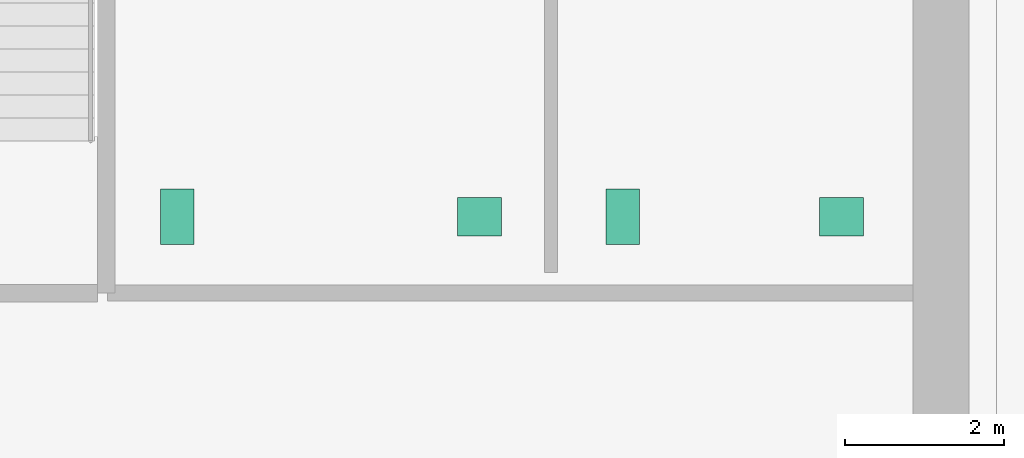
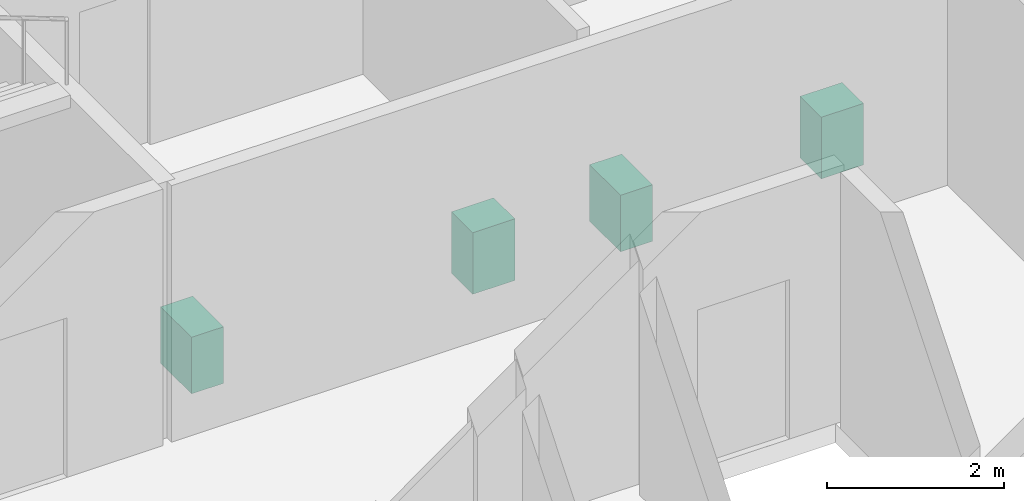
# One storey, part 12 of 12: 4 sanitary terminals.
"""IFC4 building model written with IfcOpenShell, lengths in metres."""

from ifc_helpers import new_model, si_unit, direction, frame, origin, origin_2d, place, context, subcontext, project, spatial, rectangle, extrude, material, type_object, element, save


model = new_model("IFC4")

# Units and contexts
model_context = context("Model", 3, precision=1e-05, world=origin(), true_north=direction((0.0, 1.0)))
body_context = subcontext(model_context, "Body", "Model", "MODEL_VIEW")
ifc_project = project(units=[si_unit("LENGTHUNIT", "METRE"), si_unit("AREAUNIT", "SQUARE_METRE"), si_unit("VOLUMEUNIT", "CUBIC_METRE"), si_unit("PLANEANGLEUNIT", "RADIAN"), si_unit("MASSUNIT", "GRAM", prefix="KILO")], contexts=[model_context])

# Site, building, storey
site_placement = place(None, origin())
site = spatial("IfcSite", under=ifc_project, at=site_placement, CompositionType="ELEMENT")
building_placement = place(site_placement, origin())
building = spatial("IfcBuilding", under=site, at=building_placement, Name="Norrvale University Quadrangle", CompositionType="ELEMENT")
storey_placement = place(building_placement, frame((0.0, 0.0, 109.0)))
storey = spatial("IfcBuildingStorey", under=building, at=storey_placement, Name="L27", CompositionType="ELEMENT", Elevation=109.0)

# Sanitary terminals
ifc_material = material(Name="Vitreous China Sanitaryware")
sanitary_terminal_type_1 = type_object("IfcSanitaryTerminalType", Name="Sanitary Wash Basin", PredefinedType="WASHHANDBASIN", material=ifc_material)
for number, where, z_axis, x_axis, name in (
    (1, (11.0, 41.10009765625, 0.0), (0.0, 0.0, 1.0), (1.0, 0.0, 0.0), "Accessible Countertop Washbasin L27-1"),
    (2, (15.550048828125, 41.10009765625, 0.0), (0.0, 0.0, 1.0), (1.0, 0.0, 0.0), "Accessible Countertop Washbasin L27-2"),
):
    element("IfcSanitaryTerminal", number, at=place(storey_placement, frame(where, z_axis=z_axis, x_axis=x_axis)), inside=storey, type_object=sanitary_terminal_type_1, Name=name, PredefinedType="WASHHANDBASIN", context=body_context, shape_type="SweptSolid", body=[
        extrude(rectangle(XDim=0.550048828125, YDim=0.47998046875, at=origin_2d()), origin(), (0.0, 0.0, 1.0), 0.85009765625),
    ])
sanitary_terminal_type_2 = type_object("IfcSanitaryTerminalType", Name="Sanitary Water Closet", PredefinedType="TOILETPAN", material=ifc_material)
for number, where, z_axis, x_axis, name in (
    (3, (7.199951171875, 41.10009765625, 0.0), (0.0, 0.0, 1.0), (1.0, 0.0, 0.0), "Wall-Hung Water Closet L27-1"),
    (4, (12.800048828125, 41.10009765625, 0.0), (0.0, 0.0, 1.0), (1.0, 0.0, 0.0), "Wall-Hung Water Closet L27-2"),
):
    element("IfcSanitaryTerminal", number, at=place(storey_placement, frame(where, z_axis=z_axis, x_axis=x_axis)), inside=storey, type_object=sanitary_terminal_type_2, Name=name, PredefinedType="TOILETPAN", context=body_context, shape_type="SweptSolid", body=[
        extrude(rectangle(XDim=0.419921875, YDim=0.699951171875, at=origin_2d()), origin(), (0.0, 0.0, 1.0), 0.780029296875),
    ])

save(model, "model.ifc")
